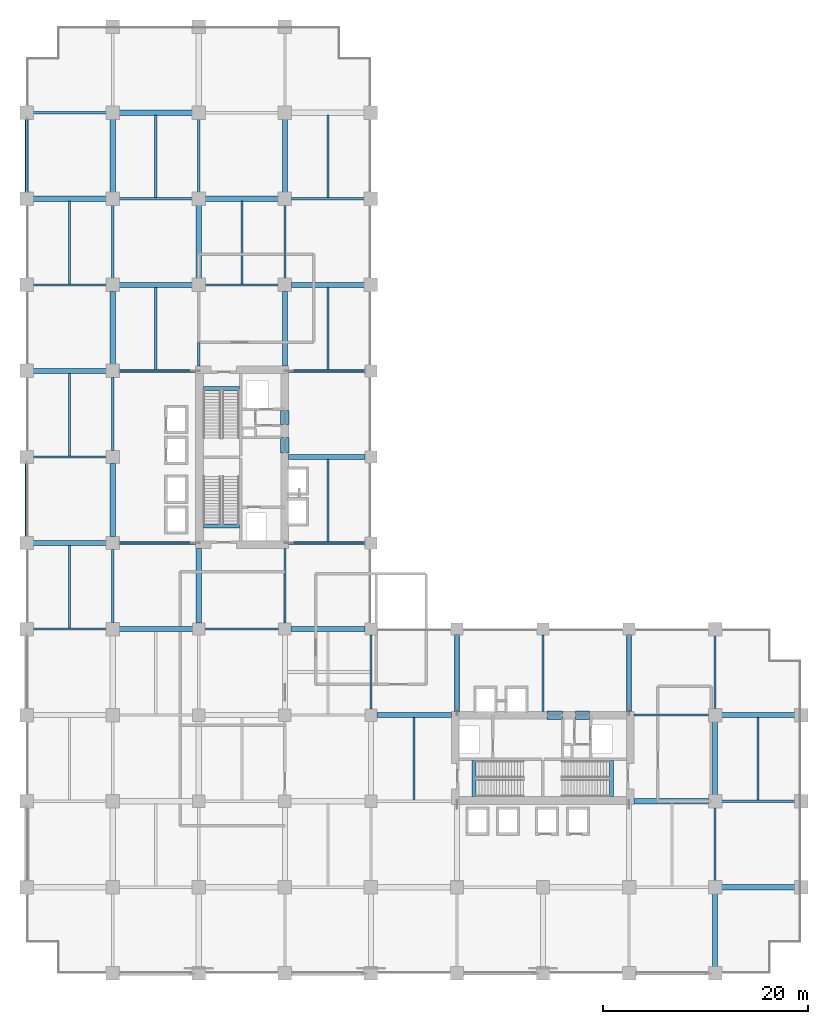
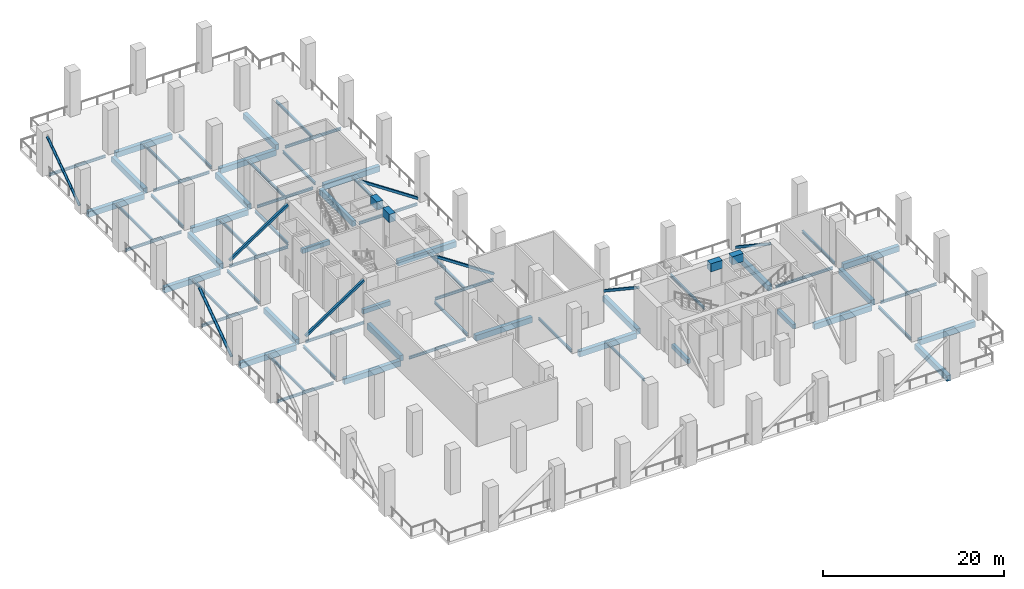
# One storey, part 2 of 19: 69 beams, 8 members.
"""IFC4 building model written with IfcOpenShell, lengths in metres."""

from ifc_helpers import new_model, si_unit, direction, frame, origin, origin_2d, place, context, subcontext, project, spatial, rectangle, hollow_rectangle, hollow_circle, i_section, extrude, material, material_profile, profile_set, type_object, element, save


model = new_model("IFC4")

# Units and contexts
model_context = context("Model", 3, precision=1e-05, world=origin(), true_north=direction((0.0, 1.0)))
body_context = subcontext(model_context, "Body", "Model", "MODEL_VIEW")
ifc_project = project(units=[si_unit("LENGTHUNIT", "METRE"), si_unit("AREAUNIT", "SQUARE_METRE"), si_unit("VOLUMEUNIT", "CUBIC_METRE"), si_unit("PLANEANGLEUNIT", "RADIAN"), si_unit("MASSUNIT", "GRAM", prefix="KILO")], contexts=[model_context])

# Site, building, storey
site_placement = place(None, origin())
site = spatial("IfcSite", under=ifc_project, at=site_placement, CompositionType="ELEMENT")
building_placement = place(site_placement, origin())
building = spatial("IfcBuilding", under=site, at=building_placement, Name="Koriwani Terraces Tower", CompositionType="ELEMENT")
storey_placement = place(building_placement, frame((0.0, 0.0, 94.0)))
storey = spatial("IfcBuildingStorey", under=building, at=storey_placement, Name="L22", CompositionType="ELEMENT", Elevation=94.0)

# Beams
ifc_material_1 = material(Name="Concrete C60/75", Category="concrete")
ifc_material_profile_1 = material_profile(ifc_material_1, rectangle(XDim=0.800048828125, YDim=1.10009765625, at=origin_2d()), Name="Concrete C60/75", Category="LoadBearing")
ifc_profile_set_1 = profile_set([ifc_material_profile_1], Name="Concrete C60/75")
beam_type_1 = type_object("IfcBeamType", Name="BEAM_RC_COUPLING_800X1100", PredefinedType="LINTEL", material=ifc_profile_set_1)
beam_1_placement = place(storey_placement, frame((25.199951171875, 50.800048828125, 5.199951171875), z_axis=(0.0, 1.0, 0.0), x_axis=(-1.0, 0.0, 0.0)))
element("IfcBeam", 1, at=beam_1_placement, inside=storey, type_object=beam_type_1, Name="L22 Core Coupling Lintel Beam WE1", PredefinedType="LINTEL", context=body_context, shape_type="SweptSolid", body=[
    extrude(rectangle(XDim=0.800048828125, YDim=1.10009765625, at=origin_2d()), origin(), (0.0, 0.0, 1.0), 1.47998046875),
])
beam_2_placement = place(storey_placement, frame((25.199951171875, 53.550048828125, 5.199951171875), z_axis=(0.0, 1.0, 0.0), x_axis=(-1.0, 0.0, 0.0)))
element("IfcBeam", 2, at=beam_2_placement, inside=storey, type_object=beam_type_1, Name="L22 Core Coupling Lintel Beam WE2", PredefinedType="LINTEL", context=body_context, shape_type="SweptSolid", body=[
    extrude(rectangle(XDim=0.800048828125, YDim=1.10009765625, at=origin_2d()), origin(), (0.0, 0.0, 1.0), 1.39990234375),
])
beam_3_placement = place(storey_placement, frame((50.800048828125, 25.199951171875, 5.199951171875), z_axis=(1.0, 0.0, 0.0), x_axis=(0.0, 1.0, 0.0)))
element("IfcBeam", 3, at=beam_3_placement, inside=storey, type_object=beam_type_1, Name="L22 Core Coupling Lintel Beam EN1", PredefinedType="LINTEL", context=body_context, shape_type="SweptSolid", body=[
    extrude(rectangle(XDim=0.800048828125, YDim=1.10009765625, at=origin_2d()), origin(), (0.0, 0.0, 1.0), 1.47998046875),
])
beam_4_placement = place(storey_placement, frame((53.550048828125, 25.199951171875, 5.199951171875), z_axis=(1.0, 0.0, 0.0), x_axis=(0.0, 1.0, 0.0)))
element("IfcBeam", 4, at=beam_4_placement, inside=storey, type_object=beam_type_1, Name="L22 Core Coupling Lintel Beam EN2", PredefinedType="LINTEL", context=body_context, shape_type="SweptSolid", body=[
    extrude(rectangle(XDim=0.800048828125, YDim=1.10009765625, at=origin_2d()), origin(), (0.0, 0.0, 1.0), 1.39990234375),
])
ifc_material_2 = material(Name="Concrete C40/50", Category="concrete")
ifc_material_profile_2 = material_profile(ifc_material_2, rectangle(XDim=0.39990234375, YDim=0.60009765625, at=origin_2d()), Name="Concrete C40/50", Category="LoadBearing")
ifc_profile_set_2 = profile_set([ifc_material_profile_2], Name="Concrete C40/50")
beam_type_2 = type_object("IfcBeamType", Name="BEAM_RC_GRID_400X600", PredefinedType="BEAM", material=ifc_profile_set_2)
for number, where, z_axis, x_axis, name in (
    (5, (17.25, 43.655029296875, -0.300048828125), (1.0, 0.0, 0.0), (0.0, 1.0, 0.0), "L22 Stairwell Header Trimmer Beam ST-W1"),
    (6, (17.25, 57.094970703125, -0.300048828125), (1.0, 0.0, 0.0), (0.0, 1.0, 0.0), "L22 Stairwell Header Trimmer Beam ST-W2"),
    (7, (43.655029296875, 17.25, -0.300048828125), (0.0, 1.0, 0.0), (-1.0, 0.0, 0.0), "L22 Stairwell Header Trimmer Beam ST-E1"),
    (8, (57.094970703125, 17.25, -0.300048828125), (0.0, 1.0, 0.0), (-1.0, 0.0, 0.0), "L22 Stairwell Header Trimmer Beam ST-E2"),
):
    element("IfcBeam", number, at=place(storey_placement, frame(where, z_axis=z_axis, x_axis=x_axis)), inside=storey, type_object=beam_type_2, Name=name, PredefinedType="BEAM", context=body_context, shape_type="SweptSolid", body=[
        extrude(rectangle(XDim=0.39990234375, YDim=0.60009765625, at=origin_2d()), origin(), (0.0, 0.0, 1.0), 3.5),
    ])
ifc_material_3 = material(Name="Concrete C50/60", Category="concrete")
ifc_material_profile_3 = material_profile(ifc_material_3, rectangle(XDim=0.5, YDim=0.75, at=origin_2d()), Name="Concrete C50/60", Category="LoadBearing")
ifc_profile_set_3 = profile_set([ifc_material_profile_3], Name="Concrete C50/60")
beam_type_3 = type_object("IfcBeamType", Name="BEAM_RC_GRID_500X750", PredefinedType="BEAM", material=ifc_profile_set_3)
beam_5_placement = place(storey_placement, frame((67.830078125, 8.39990234375, -0.72509765625), z_axis=(1.0, 0.0, 0.0), x_axis=(0.0, 1.0, 0.0)))
element("IfcBeam", 9, at=beam_5_placement, inside=storey, type_object=beam_type_3, Name="L22 Grid Beam B (67.2-75.6m)", PredefinedType="BEAM", context=body_context, shape_type="SweptSolid", body=[
    extrude(rectangle(XDim=0.5, YDim=0.75, at=origin_2d()), origin(), (0.0, 0.0, 1.0), 7.139892578125),
])
for number, where, z_axis, x_axis, name in (
    (10, (59.280029296875, 16.800048828125, -0.72509765625), (1.0, 0.0, 0.0), (0.0, 1.0, 0.0), "L22 Grid Beam C (58.8-67.2m)"),
    (11, (34.179931640625, 25.199951171875, -0.72509765625), (1.0, 0.0, 0.0), (0.0, 1.0, 0.0), "L22 Grid Beam D (33.6-42.0m)"),
):
    element("IfcBeam", number, at=place(storey_placement, frame(where, z_axis=z_axis, x_axis=x_axis)), inside=storey, type_object=beam_type_3, Name=name, PredefinedType="BEAM", context=body_context, shape_type="SweptSolid", body=[
        extrude(rectangle(XDim=0.5, YDim=0.75, at=origin_2d()), origin(), (0.0, 0.0, 1.0), 7.2900390625),
    ])
beam_6_placement = place(storey_placement, frame((67.830078125, 25.199951171875, -0.72509765625), z_axis=(1.0, 0.0, 0.0), x_axis=(0.0, 1.0, 0.0)))
element("IfcBeam", 12, at=beam_6_placement, inside=storey, type_object=beam_type_3, Name="L22 Grid Beam D (67.2-75.6m)", PredefinedType="BEAM", context=body_context, shape_type="SweptSolid", body=[
    extrude(rectangle(XDim=0.5, YDim=0.75, at=origin_2d()), origin(), (0.0, 0.0, 1.0), 7.139892578125),
])
beam_7_placement = place(storey_placement, frame((9.030029296875, 33.60009765625, -0.72509765625), z_axis=(1.0, 0.0, 0.0), x_axis=(0.0, 1.0, 0.0)))
element("IfcBeam", 13, at=beam_7_placement, inside=storey, type_object=beam_type_3, Name="L22 Grid Beam E (8.4-16.8m)", PredefinedType="BEAM", context=body_context, shape_type="SweptSolid", body=[
    extrude(rectangle(XDim=0.5, YDim=0.75, at=origin_2d()), origin(), (0.0, 0.0, 1.0), 7.18994140625),
])
beam_8_placement = place(storey_placement, frame((25.780029296875, 33.60009765625, -0.72509765625), z_axis=(1.0, 0.0, 0.0), x_axis=(0.0, 1.0, 0.0)))
element("IfcBeam", 14, at=beam_8_placement, inside=storey, type_object=beam_type_3, Name="L22 Grid Beam E (25.2-33.6m)", PredefinedType="BEAM", context=body_context, shape_type="SweptSolid", body=[
    extrude(rectangle(XDim=0.5, YDim=0.75, at=origin_2d()), origin(), (0.0, 0.0, 1.0), 7.239990234375),
])
beam_9_placement = place(storey_placement, frame((0.6298828125, 42.0, -0.72509765625), z_axis=(1.0, 0.0, 0.0), x_axis=(0.0, 1.0, 0.0)))
element("IfcBeam", 15, at=beam_9_placement, inside=storey, type_object=beam_type_3, Name="L22 Grid Beam F (0.0-8.4m)", PredefinedType="BEAM", context=body_context, shape_type="SweptSolid", body=[
    extrude(rectangle(XDim=0.5, YDim=0.75, at=origin_2d()), origin(), (0.0, 0.0, 1.0), 7.14013671875),
])
beam_10_placement = place(storey_placement, frame((25.554931640625, 50.39990234375, -0.72509765625), z_axis=(1.0, 0.0, 0.0), x_axis=(0.0, 1.0, 0.0)))
element("IfcBeam", 16, at=beam_10_placement, inside=storey, type_object=beam_type_3, Name="L22 Grid Beam G (25.2-33.6m)", PredefinedType="BEAM", context=body_context, shape_type="SweptSolid", body=[
    extrude(rectangle(XDim=0.5, YDim=0.75, at=origin_2d()), origin(), (0.0, 0.0, 1.0), 7.465087890625),
])
beam_11_placement = place(storey_placement, frame((0.6298828125, 58.800048828125, -0.72509765625), z_axis=(1.0, 0.0, 0.0), x_axis=(0.0, 1.0, 0.0)))
element("IfcBeam", 17, at=beam_11_placement, inside=storey, type_object=beam_type_3, Name="L22 Grid Beam H (0.0-8.4m)", PredefinedType="BEAM", context=body_context, shape_type="SweptSolid", body=[
    extrude(rectangle(XDim=0.5, YDim=0.75, at=origin_2d()), origin(), (0.0, 0.0, 1.0), 7.14013671875),
])
for number, where, z_axis, x_axis, name in (
    (18, (9.030029296875, 67.199951171875, -0.72509765625), (1.0, 0.0, 0.0), (0.0, 1.0, 0.0), "L22 Grid Beam I (8.4-16.8m)"),
    (19, (25.830078125, 67.199951171875, -0.72509765625), (1.0, 0.0, 0.0), (0.0, 1.0, 0.0), "L22 Grid Beam I (25.2-33.6m)"),
):
    element("IfcBeam", number, at=place(storey_placement, frame(where, z_axis=z_axis, x_axis=x_axis)), inside=storey, type_object=beam_type_3, Name=name, PredefinedType="BEAM", context=body_context, shape_type="SweptSolid", body=[
        extrude(rectangle(XDim=0.5, YDim=0.75, at=origin_2d()), origin(), (0.0, 0.0, 1.0), 7.139892578125),
    ])
for number, where, z_axis, x_axis, name in (
    (20, (0.6298828125, 75.60009765625, -0.72509765625), (1.0, 0.0, 0.0), (0.0, 1.0, 0.0), "L22 Grid Beam J (0.0-8.4m)"),
    (21, (17.429931640625, 75.60009765625, -0.72509765625), (1.0, 0.0, 0.0), (0.0, 1.0, 0.0), "L22 Grid Beam J (16.8-25.2m)"),
):
    element("IfcBeam", number, at=place(storey_placement, frame(where, z_axis=z_axis, x_axis=x_axis)), inside=storey, type_object=beam_type_3, Name=name, PredefinedType="BEAM", context=body_context, shape_type="SweptSolid", body=[
        extrude(rectangle(XDim=0.5, YDim=0.75, at=origin_2d()), origin(), (0.0, 0.0, 1.0), 7.14013671875),
    ])
beam_12_placement = place(storey_placement, frame((9.030029296875, 84.0, -0.72509765625), z_axis=(1.0, 0.0, 0.0), x_axis=(0.0, 1.0, 0.0)))
element("IfcBeam", 22, at=beam_12_placement, inside=storey, type_object=beam_type_3, Name="L22 Grid Beam K (8.4-16.8m)", PredefinedType="BEAM", context=body_context, shape_type="SweptSolid", body=[
    extrude(rectangle(XDim=0.5, YDim=0.75, at=origin_2d()), origin(), (0.0, 0.0, 1.0), 7.139892578125),
])
for number, where, z_axis, x_axis, name in (
    (23, (8.39990234375, 42.6298828125, -0.72509765625), (0.0, 1.0, 0.0), (-1.0, 0.0, 0.0), "L22 Grid Beam 2 (42.0-50.4m)"),
    (24, (8.39990234375, 59.429931640625, -0.72509765625), (0.0, 1.0, 0.0), (-1.0, 0.0, 0.0), "L22 Grid Beam 2 (58.8-67.2m)"),
    (25, (8.39990234375, 76.22998046875, -0.72509765625), (0.0, 1.0, 0.0), (-1.0, 0.0, 0.0), "L22 Grid Beam 2 (75.6-84.0m)"),
):
    element("IfcBeam", number, at=place(storey_placement, frame(where, z_axis=z_axis, x_axis=x_axis)), inside=storey, type_object=beam_type_3, Name=name, PredefinedType="BEAM", context=body_context, shape_type="SweptSolid", body=[
        extrude(rectangle(XDim=0.5, YDim=0.75, at=origin_2d()), origin(), (0.0, 0.0, 1.0), 7.14013671875),
    ])
beam_13_placement = place(storey_placement, frame((16.800048828125, 34.179931640625, -0.72509765625), z_axis=(0.0, 1.0, 0.0), x_axis=(-1.0, 0.0, 0.0)))
element("IfcBeam", 26, at=beam_13_placement, inside=storey, type_object=beam_type_3, Name="L22 Grid Beam 3 (33.6-42.0m)", PredefinedType="BEAM", context=body_context, shape_type="SweptSolid", body=[
    extrude(rectangle(XDim=0.5, YDim=0.75, at=origin_2d()), origin(), (0.0, 0.0, 1.0), 7.2900390625),
])
beam_14_placement = place(storey_placement, frame((16.800048828125, 67.830078125, -0.72509765625), z_axis=(0.0, 1.0, 0.0), x_axis=(-1.0, 0.0, 0.0)))
element("IfcBeam", 27, at=beam_14_placement, inside=storey, type_object=beam_type_3, Name="L22 Grid Beam 3 (67.2-75.6m)", PredefinedType="BEAM", context=body_context, shape_type="SweptSolid", body=[
    extrude(rectangle(XDim=0.5, YDim=0.75, at=origin_2d()), origin(), (0.0, 0.0, 1.0), 7.139892578125),
])
beam_15_placement = place(storey_placement, frame((25.199951171875, 59.280029296875, -0.72509765625), z_axis=(0.0, 1.0, 0.0), x_axis=(-1.0, 0.0, 0.0)))
element("IfcBeam", 28, at=beam_15_placement, inside=storey, type_object=beam_type_3, Name="L22 Grid Beam 4 (58.8-67.2m)", PredefinedType="BEAM", context=body_context, shape_type="SweptSolid", body=[
    extrude(rectangle(XDim=0.5, YDim=0.75, at=origin_2d()), origin(), (0.0, 0.0, 1.0), 7.2900390625),
])
beam_16_placement = place(storey_placement, frame((25.199951171875, 76.22998046875, -0.72509765625), z_axis=(0.0, 1.0, 0.0), x_axis=(-1.0, 0.0, 0.0)))
element("IfcBeam", 29, at=beam_16_placement, inside=storey, type_object=beam_type_3, Name="L22 Grid Beam 4 (75.6-84.0m)", PredefinedType="BEAM", context=body_context, shape_type="SweptSolid", body=[
    extrude(rectangle(XDim=0.5, YDim=0.75, at=origin_2d()), origin(), (0.0, 0.0, 1.0), 7.14013671875),
])
for number, where, z_axis, x_axis, name in (
    (30, (42.0, 25.554931640625, -0.72509765625), (0.0, 1.0, 0.0), (-1.0, 0.0, 0.0), "L22 Grid Beam 6 (25.2-33.6m)"),
    (31, (58.800048828125, 25.554931640625, -0.72509765625), (0.0, 1.0, 0.0), (-1.0, 0.0, 0.0), "L22 Grid Beam 8 (25.2-33.6m)"),
):
    element("IfcBeam", number, at=place(storey_placement, frame(where, z_axis=z_axis, x_axis=x_axis)), inside=storey, type_object=beam_type_3, Name=name, PredefinedType="BEAM", context=body_context, shape_type="SweptSolid", body=[
        extrude(rectangle(XDim=0.5, YDim=0.75, at=origin_2d()), origin(), (0.0, 0.0, 1.0), 7.465087890625),
    ])
for number, where, z_axis, x_axis, name in (
    (32, (67.199951171875, 0.6298828125, -0.72509765625), (0.0, 1.0, 0.0), (-1.0, 0.0, 0.0), "L22 Grid Beam 9 (0.0-8.4m)"),
    (33, (67.199951171875, 17.429931640625, -0.72509765625), (0.0, 1.0, 0.0), (-1.0, 0.0, 0.0), "L22 Grid Beam 9 (16.8-25.2m)"),
):
    element("IfcBeam", number, at=place(storey_placement, frame(where, z_axis=z_axis, x_axis=x_axis)), inside=storey, type_object=beam_type_3, Name=name, PredefinedType="BEAM", context=body_context, shape_type="SweptSolid", body=[
        extrude(rectangle(XDim=0.5, YDim=0.75, at=origin_2d()), origin(), (0.0, 0.0, 1.0), 7.14013671875),
    ])

# Members
ifc_material_4 = material(Name="Steel ASTM A572 Grade 50", Category="steel")
ifc_material_profile_4 = material_profile(ifc_material_4, hollow_circle(Radius=0.162109375, WallThickness=0.012451171875, at=origin_2d()), Name="Steel ASTM A572 Grade 50", Category="LoadBearing")
ifc_profile_set_4 = profile_set([ifc_material_profile_4], Name="Steel ASTM A572 Grade 50")
member_type_1 = type_object("IfcMemberType", Name="BELT_TRUSS_DIAG_CHS324X12", PredefinedType="BRACE", material=ifc_profile_set_4)
member_1_placement = place(storey_placement, frame((0.0, 76.22998046875, 0.25), z_axis=(0.0, 0.821826828504, 0.569737364012), x_axis=(-1.0, 0.0, 0.0)))
element("IfcMember", 34, at=member_1_placement, inside=storey, type_object=member_type_1, Name="Belt truss diagonal L22-BW4", PredefinedType="BRACE", context=body_context, shape_type="SweptSolid", body=[
    extrude(hollow_circle(Radius=0.162109375, WallThickness=0.012451171875, at=origin_2d()), origin(), (0.0, 0.0, 1.0), 8.688232421875),
])
ifc_material_profile_5 = material_profile(ifc_material_4, hollow_circle(Radius=0.177978515625, WallThickness=0.012451171875, at=origin_2d()), Name="Steel ASTM A572 Grade 50", Category="LoadBearing")
ifc_profile_set_5 = profile_set([ifc_material_profile_5], Name="Steel ASTM A572 Grade 50")
member_type_2 = type_object("IfcMemberType", Name="BELT_TRUSS_DIAG_CHS356X12", PredefinedType="BRACE", material=ifc_profile_set_5)
member_2_placement = place(storey_placement, frame((0.0, 42.6298828125, 0.25), z_axis=(0.0, 0.821826828504, 0.569737364012), x_axis=(-1.0, 0.0, 0.0)))
element("IfcMember", 35, at=member_2_placement, inside=storey, type_object=member_type_2, Name="Belt truss diagonal L22-BW3", PredefinedType="BRACE", context=body_context, shape_type="SweptSolid", body=[
    extrude(hollow_circle(Radius=0.177978515625, WallThickness=0.012451171875, at=origin_2d()), origin(), (0.0, 0.0, 1.0), 8.688232421875),
])
ifc_material_profile_6 = material_profile(ifc_material_4, hollow_rectangle(XDim=0.300048828125, YDim=0.300048828125, WallThickness=0.012451171875, at=origin_2d()), Name="Steel ASTM A572 Grade 50", Category="LoadBearing")
ifc_profile_set_6 = profile_set([ifc_material_profile_6], Name="Steel ASTM A572 Grade 50")
member_type_3 = type_object("IfcMemberType", Name="OUTRIGGER_BRACE_HSS300X300X12", PredefinedType="BRACE", material=ifc_profile_set_6)
for number, where, z_axis, x_axis, name in (
    (36, (9.030029296875, 42.0, 0.25), (0.832910137999, 0.0, 0.553408259804), (0.0, 1.0, 0.0), "Outrigger truss diagonal L22-OW-W1"),
    (37, (9.030029296875, 58.800048828125, 0.25), (0.832910137999, 0.0, 0.553408259804), (0.0, 1.0, 0.0), "Outrigger truss diagonal L22-OW-W2"),
):
    element("IfcMember", number, at=place(storey_placement, frame(where, z_axis=z_axis, x_axis=x_axis)), inside=storey, type_object=member_type_3, Name=name, PredefinedType="BRACE", context=body_context, shape_type="SweptSolid", body=[
        extrude(hollow_rectangle(XDim=0.300048828125, YDim=0.300048828125, WallThickness=0.012451171875, at=origin_2d()), origin(), (0.0, 0.0, 1.0), 8.944580078125),
    ])
for number, where, z_axis, x_axis, name in (
    (38, (33.02001953125, 42.0, 0.25), (-0.832054503316, 0.0, 0.554693882706), (0.0, -1.0, 0.0), "Outrigger truss diagonal L22-OW-E1"),
    (39, (33.02001953125, 58.800048828125, 0.25), (-0.832054503316, 0.0, 0.554693882706), (0.0, -1.0, 0.0), "Outrigger truss diagonal L22-OW-E2"),
    (40, (42.0, 33.02001953125, 0.25), (0.0, -0.832054503316, 0.554693882706), (1.0, 0.0, 0.0), "Outrigger truss diagonal L22-OE-N1"),
    (41, (58.800048828125, 33.02001953125, 0.25), (0.0, -0.832054503316, 0.554693882706), (1.0, 0.0, 0.0), "Outrigger truss diagonal L22-OE-N2"),
):
    element("IfcMember", number, at=place(storey_placement, frame(where, z_axis=z_axis, x_axis=x_axis)), inside=storey, type_object=member_type_3, Name=name, PredefinedType="BRACE", context=body_context, shape_type="SweptSolid", body=[
        extrude(hollow_rectangle(XDim=0.300048828125, YDim=0.300048828125, WallThickness=0.012451171875, at=origin_2d()), origin(), (0.0, 0.0, 1.0), 8.923828125),
    ])

# Beams
ifc_material_profile_7 = material_profile(ifc_material_4, i_section(OverallWidth=0.205078125, OverallDepth=0.35400390625, WebThickness=0.009521484375, FlangeThickness=0.016845703125, at=origin_2d()), Name="Steel ASTM A572 Grade 50", Category="LoadBearing")
ifc_profile_set_7 = profile_set([ifc_material_profile_7], Name="Steel ASTM A572 Grade 50")
beam_type_4 = type_object("IfcBeamType", Name="STEEL_BEAM_W360X79", PredefinedType="JOIST", material=ifc_profile_set_7)
beam_17_placement = place(storey_placement, frame((67.830078125, 16.800048828125, -0.527099609375), z_axis=(1.0, 0.0, 0.0), x_axis=(0.0, 1.0, 0.0)))
element("IfcBeam", 42, at=beam_17_placement, inside=storey, type_object=beam_type_4, Name="L22 Grid Beam C (67.2-75.6m)", PredefinedType="JOIST", context=body_context, shape_type="SweptSolid", body=[
    extrude(i_section(OverallWidth=0.205078125, OverallDepth=0.35400390625, WebThickness=0.009521484375, FlangeThickness=0.016845703125, at=origin_2d()), origin(), (0.0, 0.0, 1.0), 7.139892578125),
])
beam_18_placement = place(storey_placement, frame((59.280029296875, 25.199951171875, -0.527099609375), z_axis=(1.0, 0.0, 0.0), x_axis=(0.0, 1.0, 0.0)))
element("IfcBeam", 43, at=beam_18_placement, inside=storey, type_object=beam_type_4, Name="L22 Grid Beam D (58.8-67.2m)", PredefinedType="JOIST", context=body_context, shape_type="SweptSolid", body=[
    extrude(i_section(OverallWidth=0.205078125, OverallDepth=0.35400390625, WebThickness=0.009521484375, FlangeThickness=0.016845703125, at=origin_2d()), origin(), (0.0, 0.0, 1.0), 7.2900390625),
])
beam_19_placement = place(storey_placement, frame((0.6298828125, 33.60009765625, -0.527099609375), z_axis=(1.0, 0.0, 0.0), x_axis=(0.0, 1.0, 0.0)))
element("IfcBeam", 44, at=beam_19_placement, inside=storey, type_object=beam_type_4, Name="L22 Grid Beam E (0.0-8.4m)", PredefinedType="JOIST", context=body_context, shape_type="SweptSolid", body=[
    extrude(i_section(OverallWidth=0.205078125, OverallDepth=0.35400390625, WebThickness=0.009521484375, FlangeThickness=0.016845703125, at=origin_2d()), origin(), (0.0, 0.0, 1.0), 7.14013671875),
])
beam_20_placement = place(storey_placement, frame((17.3798828125, 33.60009765625, -0.527099609375), z_axis=(1.0, 0.0, 0.0), x_axis=(0.0, 1.0, 0.0)))
element("IfcBeam", 45, at=beam_20_placement, inside=storey, type_object=beam_type_4, Name="L22 Grid Beam E (16.8-25.2m)", PredefinedType="JOIST", context=body_context, shape_type="SweptSolid", body=[
    extrude(i_section(OverallWidth=0.205078125, OverallDepth=0.35400390625, WebThickness=0.009521484375, FlangeThickness=0.016845703125, at=origin_2d()), origin(), (0.0, 0.0, 1.0), 7.240234375),
])
beam_21_placement = place(storey_placement, frame((9.030029296875, 42.0, -0.527099609375), z_axis=(1.0, 0.0, 0.0), x_axis=(0.0, 1.0, 0.0)))
element("IfcBeam", 46, at=beam_21_placement, inside=storey, type_object=beam_type_4, Name="L22 Grid Beam F (8.4-16.8m)", PredefinedType="JOIST", context=body_context, shape_type="SweptSolid", body=[
    extrude(i_section(OverallWidth=0.205078125, OverallDepth=0.35400390625, WebThickness=0.009521484375, FlangeThickness=0.016845703125, at=origin_2d()), origin(), (0.0, 0.0, 1.0), 7.489990234375),
])
beam_22_placement = place(storey_placement, frame((25.554931640625, 42.0, -0.527099609375), z_axis=(1.0, 0.0, 0.0), x_axis=(0.0, 1.0, 0.0)))
element("IfcBeam", 47, at=beam_22_placement, inside=storey, type_object=beam_type_4, Name="L22 Grid Beam F (25.2-33.6m)", PredefinedType="JOIST", context=body_context, shape_type="SweptSolid", body=[
    extrude(i_section(OverallWidth=0.205078125, OverallDepth=0.35400390625, WebThickness=0.009521484375, FlangeThickness=0.016845703125, at=origin_2d()), origin(), (0.0, 0.0, 1.0), 7.465087890625),
])
beam_23_placement = place(storey_placement, frame((0.6298828125, 50.39990234375, -0.527099609375), z_axis=(1.0, 0.0, 0.0), x_axis=(0.0, 1.0, 0.0)))
element("IfcBeam", 48, at=beam_23_placement, inside=storey, type_object=beam_type_4, Name="L22 Grid Beam G (0.0-8.4m)", PredefinedType="JOIST", context=body_context, shape_type="SweptSolid", body=[
    extrude(i_section(OverallWidth=0.205078125, OverallDepth=0.35400390625, WebThickness=0.009521484375, FlangeThickness=0.016845703125, at=origin_2d()), origin(), (0.0, 0.0, 1.0), 7.14013671875),
])
beam_24_placement = place(storey_placement, frame((9.030029296875, 58.800048828125, -0.527099609375), z_axis=(1.0, 0.0, 0.0), x_axis=(0.0, 1.0, 0.0)))
element("IfcBeam", 49, at=beam_24_placement, inside=storey, type_object=beam_type_4, Name="L22 Grid Beam H (8.4-16.8m)", PredefinedType="JOIST", context=body_context, shape_type="SweptSolid", body=[
    extrude(i_section(OverallWidth=0.205078125, OverallDepth=0.35400390625, WebThickness=0.009521484375, FlangeThickness=0.016845703125, at=origin_2d()), origin(), (0.0, 0.0, 1.0), 7.489990234375),
])
beam_25_placement = place(storey_placement, frame((25.554931640625, 58.800048828125, -0.527099609375), z_axis=(1.0, 0.0, 0.0), x_axis=(0.0, 1.0, 0.0)))
element("IfcBeam", 50, at=beam_25_placement, inside=storey, type_object=beam_type_4, Name="L22 Grid Beam H (25.2-33.6m)", PredefinedType="JOIST", context=body_context, shape_type="SweptSolid", body=[
    extrude(i_section(OverallWidth=0.205078125, OverallDepth=0.35400390625, WebThickness=0.009521484375, FlangeThickness=0.016845703125, at=origin_2d()), origin(), (0.0, 0.0, 1.0), 7.465087890625),
])
for number, where, z_axis, x_axis, name in (
    (51, (0.6298828125, 67.199951171875, -0.527099609375), (1.0, 0.0, 0.0), (0.0, 1.0, 0.0), "L22 Grid Beam I (0.0-8.4m)"),
    (52, (17.429931640625, 67.199951171875, -0.527099609375), (1.0, 0.0, 0.0), (0.0, 1.0, 0.0), "L22 Grid Beam I (16.8-25.2m)"),
):
    element("IfcBeam", number, at=place(storey_placement, frame(where, z_axis=z_axis, x_axis=x_axis)), inside=storey, type_object=beam_type_4, Name=name, PredefinedType="JOIST", context=body_context, shape_type="SweptSolid", body=[
        extrude(i_section(OverallWidth=0.205078125, OverallDepth=0.35400390625, WebThickness=0.009521484375, FlangeThickness=0.016845703125, at=origin_2d()), origin(), (0.0, 0.0, 1.0), 7.14013671875),
    ])
for number, where, z_axis, x_axis, name in (
    (53, (9.030029296875, 75.60009765625, -0.527099609375), (1.0, 0.0, 0.0), (0.0, 1.0, 0.0), "L22 Grid Beam J (8.4-16.8m)"),
    (54, (25.830078125, 75.60009765625, -0.527099609375), (1.0, 0.0, 0.0), (0.0, 1.0, 0.0), "L22 Grid Beam J (25.2-33.6m)"),
):
    element("IfcBeam", number, at=place(storey_placement, frame(where, z_axis=z_axis, x_axis=x_axis)), inside=storey, type_object=beam_type_4, Name=name, PredefinedType="JOIST", context=body_context, shape_type="SweptSolid", body=[
        extrude(i_section(OverallWidth=0.205078125, OverallDepth=0.35400390625, WebThickness=0.009521484375, FlangeThickness=0.016845703125, at=origin_2d()), origin(), (0.0, 0.0, 1.0), 7.139892578125),
    ])
for number, where, z_axis, x_axis, name in (
    (55, (0.6298828125, 84.0, -0.527099609375), (1.0, 0.0, 0.0), (0.0, 1.0, 0.0), "L22 Grid Beam K (0.0-8.4m)"),
    (56, (8.39990234375, 34.22998046875, -0.527099609375), (0.0, 1.0, 0.0), (-1.0, 0.0, 0.0), "L22 Grid Beam 2 (33.6-42.0m)"),
):
    element("IfcBeam", number, at=place(storey_placement, frame(where, z_axis=z_axis, x_axis=x_axis)), inside=storey, type_object=beam_type_4, Name=name, PredefinedType="JOIST", context=body_context, shape_type="SweptSolid", body=[
        extrude(i_section(OverallWidth=0.205078125, OverallDepth=0.35400390625, WebThickness=0.009521484375, FlangeThickness=0.016845703125, at=origin_2d()), origin(), (0.0, 0.0, 1.0), 7.14013671875),
    ])
for number, where, z_axis, x_axis, name in (
    (57, (8.39990234375, 51.030029296875, -0.527099609375), (0.0, 1.0, 0.0), (-1.0, 0.0, 0.0), "L22 Grid Beam 2 (50.4-58.8m)"),
    (58, (8.39990234375, 67.830078125, -0.527099609375), (0.0, 1.0, 0.0), (-1.0, 0.0, 0.0), "L22 Grid Beam 2 (67.2-75.6m)"),
):
    element("IfcBeam", number, at=place(storey_placement, frame(where, z_axis=z_axis, x_axis=x_axis)), inside=storey, type_object=beam_type_4, Name=name, PredefinedType="JOIST", context=body_context, shape_type="SweptSolid", body=[
        extrude(i_section(OverallWidth=0.205078125, OverallDepth=0.35400390625, WebThickness=0.009521484375, FlangeThickness=0.016845703125, at=origin_2d()), origin(), (0.0, 0.0, 1.0), 7.139892578125),
    ])
beam_26_placement = place(storey_placement, frame((16.800048828125, 59.280029296875, -0.527099609375), z_axis=(0.0, 1.0, 0.0), x_axis=(-1.0, 0.0, 0.0)))
element("IfcBeam", 59, at=beam_26_placement, inside=storey, type_object=beam_type_4, Name="L22 Grid Beam 3 (58.8-67.2m)", PredefinedType="JOIST", context=body_context, shape_type="SweptSolid", body=[
    extrude(i_section(OverallWidth=0.205078125, OverallDepth=0.35400390625, WebThickness=0.009521484375, FlangeThickness=0.016845703125, at=origin_2d()), origin(), (0.0, 0.0, 1.0), 7.2900390625),
])
beam_27_placement = place(storey_placement, frame((16.800048828125, 76.22998046875, -0.527099609375), z_axis=(0.0, 1.0, 0.0), x_axis=(-1.0, 0.0, 0.0)))
element("IfcBeam", 60, at=beam_27_placement, inside=storey, type_object=beam_type_4, Name="L22 Grid Beam 3 (75.6-84.0m)", PredefinedType="JOIST", context=body_context, shape_type="SweptSolid", body=[
    extrude(i_section(OverallWidth=0.205078125, OverallDepth=0.35400390625, WebThickness=0.009521484375, FlangeThickness=0.016845703125, at=origin_2d()), origin(), (0.0, 0.0, 1.0), 7.14013671875),
])
beam_28_placement = place(storey_placement, frame((25.199951171875, 34.179931640625, -0.527099609375), z_axis=(0.0, 1.0, 0.0), x_axis=(-1.0, 0.0, 0.0)))
element("IfcBeam", 61, at=beam_28_placement, inside=storey, type_object=beam_type_4, Name="L22 Grid Beam 4 (33.6-42.0m)", PredefinedType="JOIST", context=body_context, shape_type="SweptSolid", body=[
    extrude(i_section(OverallWidth=0.205078125, OverallDepth=0.35400390625, WebThickness=0.009521484375, FlangeThickness=0.016845703125, at=origin_2d()), origin(), (0.0, 0.0, 1.0), 7.2900390625),
])
beam_29_placement = place(storey_placement, frame((25.199951171875, 67.830078125, -0.527099609375), z_axis=(0.0, 1.0, 0.0), x_axis=(-1.0, 0.0, 0.0)))
element("IfcBeam", 62, at=beam_29_placement, inside=storey, type_object=beam_type_4, Name="L22 Grid Beam 4 (67.2-75.6m)", PredefinedType="JOIST", context=body_context, shape_type="SweptSolid", body=[
    extrude(i_section(OverallWidth=0.205078125, OverallDepth=0.35400390625, WebThickness=0.009521484375, FlangeThickness=0.016845703125, at=origin_2d()), origin(), (0.0, 0.0, 1.0), 7.139892578125),
])
beam_30_placement = place(storey_placement, frame((33.60009765625, 25.780029296875, -0.527099609375), z_axis=(0.0, 1.0, 0.0), x_axis=(-1.0, 0.0, 0.0)))
element("IfcBeam", 63, at=beam_30_placement, inside=storey, type_object=beam_type_4, Name="L22 Grid Beam 5 (25.2-33.6m)", PredefinedType="JOIST", context=body_context, shape_type="SweptSolid", body=[
    extrude(i_section(OverallWidth=0.205078125, OverallDepth=0.35400390625, WebThickness=0.009521484375, FlangeThickness=0.016845703125, at=origin_2d()), origin(), (0.0, 0.0, 1.0), 7.239990234375),
])
beam_31_placement = place(storey_placement, frame((50.39990234375, 25.554931640625, -0.527099609375), z_axis=(0.0, 1.0, 0.0), x_axis=(-1.0, 0.0, 0.0)))
element("IfcBeam", 64, at=beam_31_placement, inside=storey, type_object=beam_type_4, Name="L22 Grid Beam 7 (25.2-33.6m)", PredefinedType="JOIST", context=body_context, shape_type="SweptSolid", body=[
    extrude(i_section(OverallWidth=0.205078125, OverallDepth=0.35400390625, WebThickness=0.009521484375, FlangeThickness=0.016845703125, at=origin_2d()), origin(), (0.0, 0.0, 1.0), 7.465087890625),
])
for number, where, z_axis, x_axis, name in (
    (65, (67.199951171875, 9.030029296875, -0.527099609375), (0.0, 1.0, 0.0), (-1.0, 0.0, 0.0), "L22 Grid Beam 9 (8.4-16.8m)"),
    (66, (67.199951171875, 25.830078125, -0.527099609375), (0.0, 1.0, 0.0), (-1.0, 0.0, 0.0), "L22 Grid Beam 9 (25.2-33.6m)"),
):
    element("IfcBeam", number, at=place(storey_placement, frame(where, z_axis=z_axis, x_axis=x_axis)), inside=storey, type_object=beam_type_4, Name=name, PredefinedType="JOIST", context=body_context, shape_type="SweptSolid", body=[
        extrude(i_section(OverallWidth=0.205078125, OverallDepth=0.35400390625, WebThickness=0.009521484375, FlangeThickness=0.016845703125, at=origin_2d()), origin(), (0.0, 0.0, 1.0), 7.139892578125),
    ])
for number, where, z_axis, x_axis, name in (
    (67, (4.199951171875, 33.6923828125, -0.527099609375), (0.0, 1.0, 0.0), (-1.0, 0.0, 0.0), "L22 Secondary Steel Floor Joist X=4.2m"),
    (68, (4.199951171875, 50.492431640625, -0.527099609375), (0.0, 1.0, 0.0), (-1.0, 0.0, 0.0), "L22 Secondary Steel Floor Joist X=4.2m"),
    (69, (4.199951171875, 67.29248046875, -0.527099609375), (0.0, 1.0, 0.0), (-1.0, 0.0, 0.0), "L22 Secondary Steel Floor Joist X=4.2m"),
):
    element("IfcBeam", number, at=place(storey_placement, frame(where, z_axis=z_axis, x_axis=x_axis)), inside=storey, type_object=beam_type_4, Name=name, PredefinedType="JOIST", context=body_context, shape_type="SweptSolid", body=[
        extrude(i_section(OverallWidth=0.205078125, OverallDepth=0.35400390625, WebThickness=0.009521484375, FlangeThickness=0.016845703125, at=origin_2d()), origin(), (0.0, 0.0, 1.0), 8.067626953125),
    ])
beam_32_placement = place(storey_placement, frame((12.60009765625, 58.892578125, -0.527099609375), z_axis=(0.0, 1.0, 0.0), x_axis=(-1.0, 0.0, 0.0)))
element("IfcBeam", 70, at=beam_32_placement, inside=storey, type_object=beam_type_4, Name="L22 Secondary Steel Floor Joist X=12.6m", PredefinedType="JOIST", context=body_context, shape_type="SweptSolid", body=[
    extrude(i_section(OverallWidth=0.205078125, OverallDepth=0.35400390625, WebThickness=0.009521484375, FlangeThickness=0.016845703125, at=origin_2d()), origin(), (0.0, 0.0, 1.0), 8.0673828125),
])
for number, where, z_axis, x_axis, name in (
    (71, (12.60009765625, 75.6923828125, -0.527099609375), (0.0, 1.0, 0.0), (-1.0, 0.0, 0.0), "L22 Secondary Steel Floor Joist X=12.6m"),
    (72, (21.0, 67.29248046875, -0.527099609375), (0.0, 1.0, 0.0), (-1.0, 0.0, 0.0), "L22 Secondary Steel Floor Joist X=21.0m"),
):
    element("IfcBeam", number, at=place(storey_placement, frame(where, z_axis=z_axis, x_axis=x_axis)), inside=storey, type_object=beam_type_4, Name=name, PredefinedType="JOIST", context=body_context, shape_type="SweptSolid", body=[
        extrude(i_section(OverallWidth=0.205078125, OverallDepth=0.35400390625, WebThickness=0.009521484375, FlangeThickness=0.016845703125, at=origin_2d()), origin(), (0.0, 0.0, 1.0), 8.067626953125),
    ])
for number, where, z_axis, x_axis, name in (
    (73, (29.39990234375, 42.092529296875, -0.527099609375), (0.0, 1.0, 0.0), (-1.0, 0.0, 0.0), "L22 Secondary Steel Floor Joist X=29.4m"),
    (74, (29.39990234375, 58.892578125, -0.527099609375), (0.0, 1.0, 0.0), (-1.0, 0.0, 0.0), "L22 Secondary Steel Floor Joist X=29.4m"),
):
    element("IfcBeam", number, at=place(storey_placement, frame(where, z_axis=z_axis, x_axis=x_axis)), inside=storey, type_object=beam_type_4, Name=name, PredefinedType="JOIST", context=body_context, shape_type="SweptSolid", body=[
        extrude(i_section(OverallWidth=0.205078125, OverallDepth=0.35400390625, WebThickness=0.009521484375, FlangeThickness=0.016845703125, at=origin_2d()), origin(), (0.0, 0.0, 1.0), 8.0673828125),
    ])
beam_33_placement = place(storey_placement, frame((29.39990234375, 75.6923828125, -0.527099609375), z_axis=(0.0, 1.0, 0.0), x_axis=(-1.0, 0.0, 0.0)))
element("IfcBeam", 75, at=beam_33_placement, inside=storey, type_object=beam_type_4, Name="L22 Secondary Steel Floor Joist X=29.4m", PredefinedType="JOIST", context=body_context, shape_type="SweptSolid", body=[
    extrude(i_section(OverallWidth=0.205078125, OverallDepth=0.35400390625, WebThickness=0.009521484375, FlangeThickness=0.016845703125, at=origin_2d()), origin(), (0.0, 0.0, 1.0), 8.067626953125),
])
for number, where, z_axis, x_axis, name in (
    (76, (37.800048828125, 16.892578125, -0.527099609375), (0.0, 1.0, 0.0), (-1.0, 0.0, 0.0), "L22 Secondary Steel Floor Joist X=37.8m"),
    (77, (71.39990234375, 16.892578125, -0.527099609375), (0.0, 1.0, 0.0), (-1.0, 0.0, 0.0), "L22 Secondary Steel Floor Joist X=71.4m"),
):
    element("IfcBeam", number, at=place(storey_placement, frame(where, z_axis=z_axis, x_axis=x_axis)), inside=storey, type_object=beam_type_4, Name=name, PredefinedType="JOIST", context=body_context, shape_type="SweptSolid", body=[
        extrude(i_section(OverallWidth=0.205078125, OverallDepth=0.35400390625, WebThickness=0.009521484375, FlangeThickness=0.016845703125, at=origin_2d()), origin(), (0.0, 0.0, 1.0), 8.0673828125),
    ])

save(model, "model.ifc")
